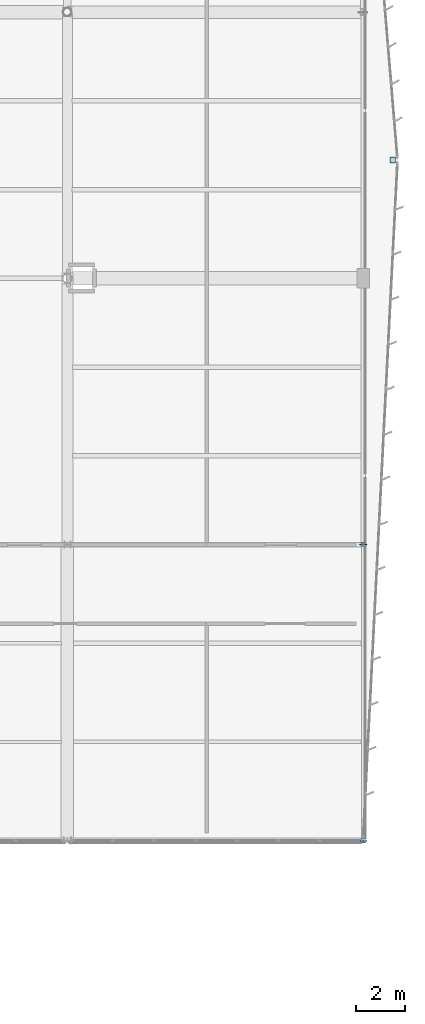
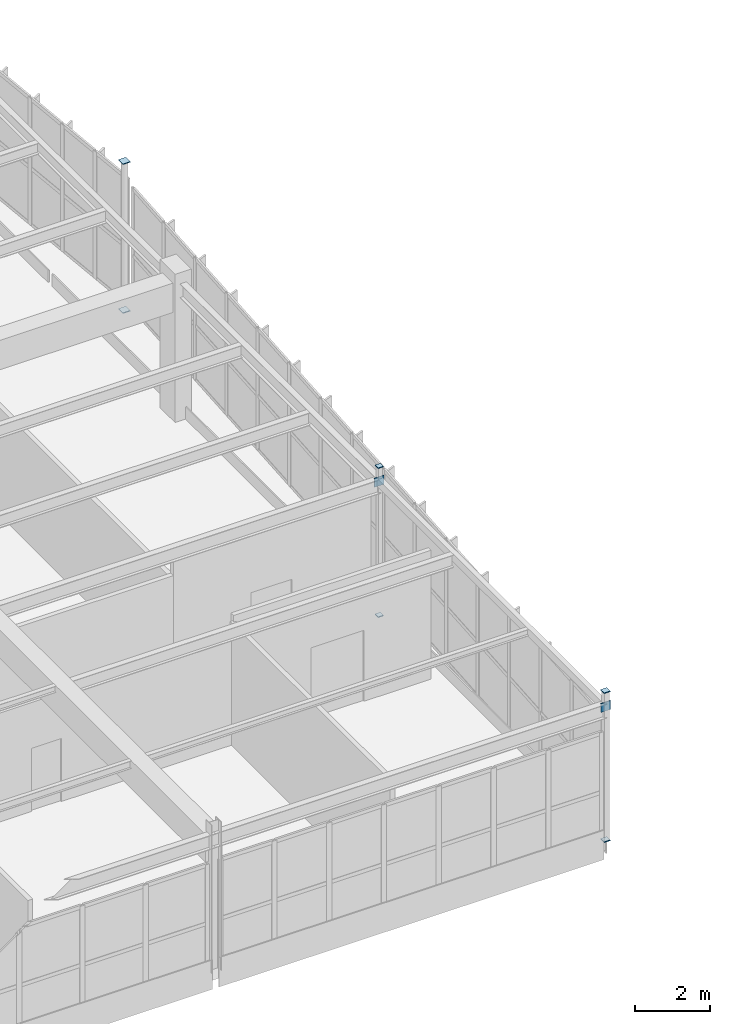
# One storey, part 153 of 186: 8 plates.
"""IFC4 building model written with IfcOpenShell, lengths in metres."""

from ifc_helpers import new_model, si_unit, direction, frame, origin, origin_2d, place, context, subcontext, project, spatial, rectangle, extrude, material, layer, layer_set, type_object, element, save


model = new_model("IFC4")

# Units and contexts
model_context = context("Model", 3, precision=1e-05, world=origin(), true_north=direction((0.0, 1.0)))
body_context = subcontext(model_context, "Body", "Model", "MODEL_VIEW")
ifc_project = project(units=[si_unit("LENGTHUNIT", "METRE"), si_unit("AREAUNIT", "SQUARE_METRE"), si_unit("VOLUMEUNIT", "CUBIC_METRE"), si_unit("PLANEANGLEUNIT", "RADIAN"), si_unit("MASSUNIT", "GRAM", prefix="KILO")], contexts=[model_context])

# Site, building, storey
site_placement = place(None, origin())
site = spatial("IfcSite", under=ifc_project, at=site_placement, CompositionType="ELEMENT")
building_placement = place(site_placement, origin())
building = spatial("IfcBuilding", under=site, at=building_placement, Name="Tarnwether General Hospital", CompositionType="ELEMENT")
storey_placement = place(building_placement, frame((0.0, 0.0, 9.60009765625)))
storey = spatial("IfcBuildingStorey", under=building, at=storey_placement, Name="L02", CompositionType="ELEMENT", Elevation=9.60009765625)

# Plates
ifc_material = material(Name="Steel Grade 350 (350 MPa)", Category="steel")
ifc_layer = layer(ifc_material, 0.02490234375)
ifc_layer_set = layer_set([ifc_layer], Name="Steel Grade 350 (350 MPa)")
plate_type = type_object("IfcPlateType", Name="PT-GUS2", PredefinedType="USERDEFINED", material=ifc_layer_set)
for number, where, z_axis, x_axis, name in (
    (1, (192.0, 81.60009765625, -0.025146484375), (0.0, 0.0, 1.0), (1.0, 0.0, 0.0), "Hollow Section Welded End Cap Plate 0417"),
    (2, (192.0, 81.60009765625, 4.800048828125), (0.0, 0.0, 1.0), (1.0, 0.0, 0.0), "Hollow Section Welded End Cap Plate 0418"),
):
    element("IfcPlate", number, at=place(storey_placement, frame(where, z_axis=z_axis, x_axis=x_axis)), inside=storey, type_object=plate_type, Name=name, ObjectType="GUSSET", PredefinedType="USERDEFINED", context=body_context, shape_type="SweptSolid", body=[
        extrude(rectangle(XDim=0.18994140625, YDim=0.18994140625, at=origin_2d()), origin(), (0.0, 0.0, 1.0), 0.02490234375),
    ])
for number, where, z_axis, x_axis, name in (
    (3, (192.0, 93.60009765625, -0.025146484375), (0.0, 0.0, 1.0), (1.0, 0.0, 0.0), "Hollow Section Welded End Cap Plate 0421"),
    (4, (192.0, 93.60009765625, 4.800048828125), (0.0, 0.0, 1.0), (1.0, 0.0, 0.0), "Hollow Section Welded End Cap Plate 0422"),
):
    element("IfcPlate", number, at=place(storey_placement, frame(where, z_axis=z_axis, x_axis=x_axis)), inside=storey, type_object=plate_type, Name=name, ObjectType="GUSSET", PredefinedType="USERDEFINED", context=body_context, shape_type="SweptSolid", body=[
        extrude(rectangle(XDim=0.1650390625, YDim=0.1650390625, at=origin_2d()), origin(), (0.0, 0.0, 1.0), 0.02490234375),
    ])
for number, where, z_axis, x_axis, name in (
    (5, (193.199951171875, 109.199951171875, -0.025146484375), (0.0, 0.0, 1.0), (1.0, 0.0, 0.0), "Hollow Section Welded End Cap Plate 0785"),
    (6, (193.199951171875, 109.199951171875, 4.800048828125), (0.0, 0.0, 1.0), (1.0, 0.0, 0.0), "Hollow Section Welded End Cap Plate 0786"),
):
    element("IfcPlate", number, at=place(storey_placement, frame(where, z_axis=z_axis, x_axis=x_axis)), inside=storey, type_object=plate_type, Name=name, ObjectType="GUSSET", PredefinedType="USERDEFINED", context=body_context, shape_type="SweptSolid", body=[
        extrude(rectangle(XDim=0.23388671875, YDim=0.23388671875, at=origin_2d()), origin(), (0.0, 0.0, 1.0), 0.02490234375),
    ])
for number, where, z_axis, x_axis, name in (
    (7, (192.0, 81.58740234375, 4.169921875), (0.0, 0.0, 1.0), (0.0, 1.0, 0.0), "Hollow Section Welded End Cap Plate 0979"),
    (8, (192.0, 93.612548828125, 4.169921875), (0.0, 0.0, 1.0), (0.0, 1.0, 0.0), "Hollow Section Welded End Cap Plate 0980"),
):
    element("IfcPlate", number, at=place(storey_placement, frame(where, z_axis=z_axis, x_axis=x_axis)), inside=storey, type_object=plate_type, Name=name, ObjectType="GUSSET", PredefinedType="USERDEFINED", context=body_context, shape_type="SweptSolid", body=[
        extrude(rectangle(XDim=0.02490234375, YDim=0.2900390625, at=origin_2d()), origin(), (0.0, 0.0, 1.0), 0.2900390625),
    ])

save(model, "model.ifc")
